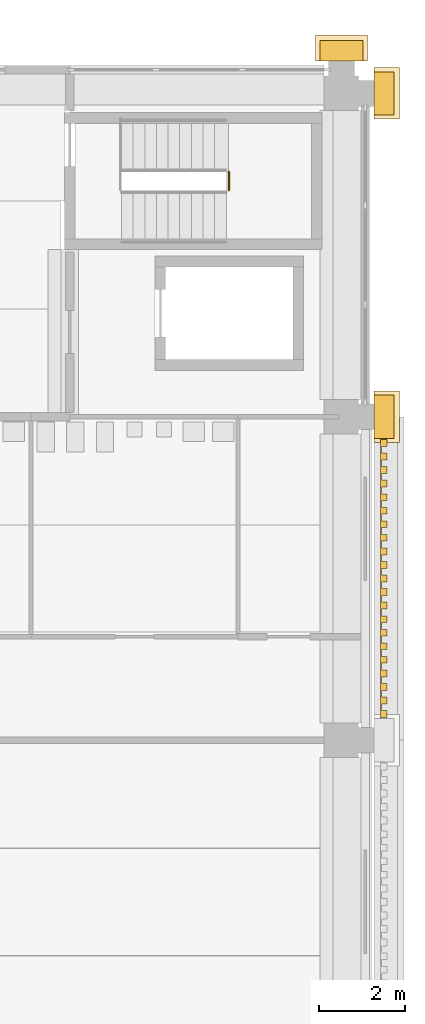
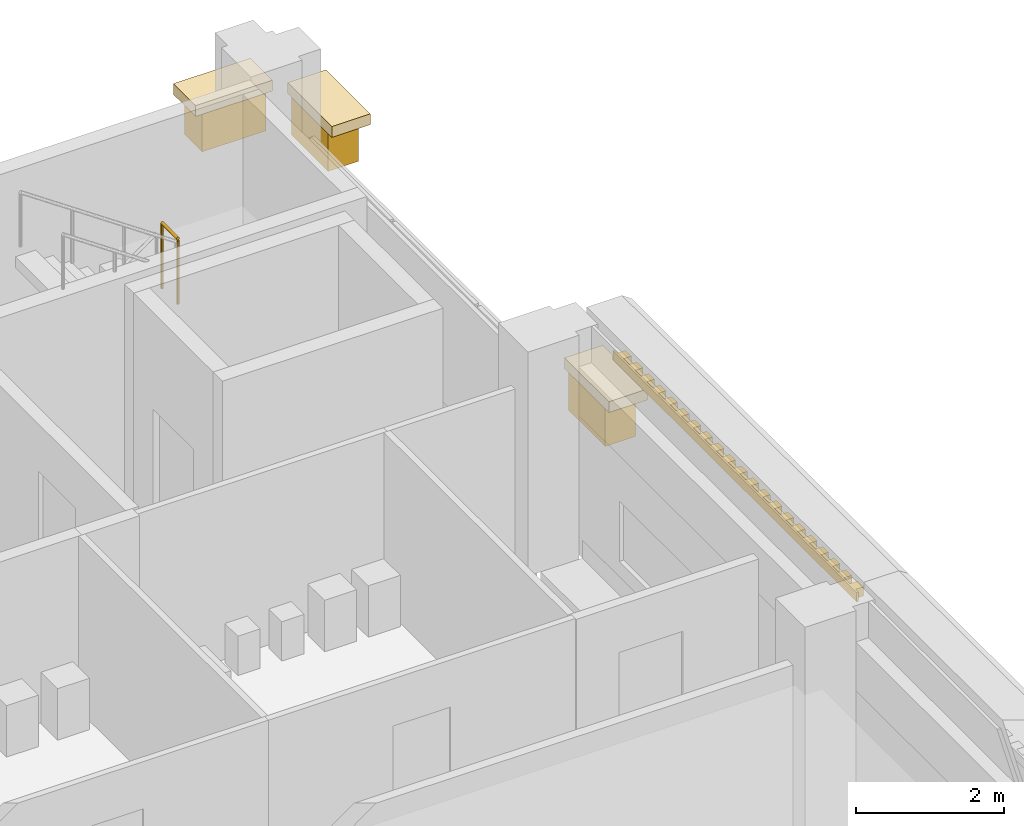
# One storey, part 66 of 71: 7 coverings, 1 railing.
"""IFC4 building model written with IfcOpenShell, lengths in metres."""

import ifcopenshell
import ifcopenshell.guid

model = None  # the IFC model being written
_history = None  # IfcOwnerHistory: only IFC2X3 demands one
_inside = {}  # id of a spatial element -> (the spatial element, [elements in it])
_under = {}  # id of a project, library or spatial element -> (it, [spatial elements below it])
_declared = {}  # id of a project -> (the project, [libraries it declares])
_typed = {}  # id of a type object -> (the type object, [elements of that type])
_made_of = {}  # id of a material, layer set ... -> (it, [elements and type objects made of it])


def new_model(schema):
    """Start an empty IFC model of exactly this schema.

    Asked for "IFC4X3", IfcOpenShell would pick the latest addendum, in which some entities
    have other attributes; the version numbers below select the first issue.
    IFC2X3 requires an IfcOwnerHistory on every rooted entity: one is made here for all.
    """
    global model, _history
    if schema == "IFC4X3":
        model = ifcopenshell.file(schema_version=(4, 3, 0, 0))
    else:
        model = ifcopenshell.file(schema=schema)
    _inside.clear()
    _under.clear()
    _declared.clear()
    _typed.clear()
    _made_of.clear()
    _history = None
    if model.schema == "IFC2X3":
        org = make("IfcOrganization", Name="unknown")
        user = make(
            "IfcPersonAndOrganization",
            ThePerson=make("IfcPerson", FamilyName="unknown"),
            TheOrganization=org,
        )
        app = make(
            "IfcApplication",
            ApplicationDeveloper=org,
            Version="unknown",
            ApplicationFullName="unknown",
            ApplicationIdentifier="unknown",
        )
        _history = make(
            "IfcOwnerHistory",
            OwningUser=user,
            OwningApplication=app,
            ChangeAction="ADDED",
            CreationDate=0,
        )
    return model


def make(cls, **values):
    """One entity of the class cls with the attributes given. An attribute that is None is left unset."""
    return model.create_entity(
        cls, **{name: value for name, value in values.items() if value is not None}
    )


def rooted(cls, **values):
    """An entity with a GlobalId (a new one), such as an element, a storey or a relation."""
    return make(cls, GlobalId=ifcopenshell.guid.new(), OwnerHistory=_history, **values)


def si_unit(unit_type, name, prefix=None):
    """IfcSIUnit, for example si_unit("LENGTHUNIT", "METRE", prefix="MILLI")."""
    return make("IfcSIUnit", UnitType=unit_type, Prefix=prefix, Name=name)


def assignment(units):
    """IfcUnitAssignment: the units of a project."""
    return None if units is None else make("IfcUnitAssignment", Units=units)


def point(xyz):
    """IfcCartesianPoint."""
    return None if xyz is None else make("IfcCartesianPoint", Coordinates=xyz)


def direction(xyz):
    """IfcDirection."""
    return None if xyz is None else make("IfcDirection", DirectionRatios=xyz)


def frame(location, z_axis=None, x_axis=None):
    """IfcAxis2Placement3D, a coordinate frame: its origin and axes. An axis left out is left unset."""
    return make(
        "IfcAxis2Placement3D",
        Location=point(location),
        Axis=direction(z_axis),
        RefDirection=direction(x_axis),
    )


def frame_2d(location, x_axis=None):
    """IfcAxis2Placement2D, a coordinate frame in the plane: its origin and x axis."""
    return make(
        "IfcAxis2Placement2D", Location=point(location), RefDirection=direction(x_axis)
    )


def origin():
    """The frame at (0, 0, 0) with its axes left unset."""
    return frame((0.0, 0.0, 0.0))


def origin_2d():
    """The frame at (0, 0) in the plane with its x axis left unset."""
    return frame_2d((0.0, 0.0))


def place(relative_to, where):
    """IfcLocalPlacement: puts the frame where relative to a parent placement (None: the world)."""
    return make(
        "IfcLocalPlacement", PlacementRelTo=relative_to, RelativePlacement=where
    )


def context(
    kind, dimensions, precision=None, world=None, true_north=None, identifier=None
):
    """IfcGeometricRepresentationContext, for example the 3D "Model" context."""
    return make(
        "IfcGeometricRepresentationContext",
        ContextIdentifier=identifier,
        ContextType=kind,
        CoordinateSpaceDimension=dimensions,
        Precision=precision,
        WorldCoordinateSystem=world,
        TrueNorth=true_north,
    )


def subcontext(parent, identifier, kind, view, scale=None):
    """IfcGeometricRepresentationSubContext, for example "Body" below "Model"."""
    return make(
        "IfcGeometricRepresentationSubContext",
        ContextIdentifier=identifier,
        ContextType=kind,
        ParentContext=parent,
        TargetScale=scale,
        TargetView=view,
    )


def project(units=None, contexts=None):
    """IfcProject with its units and contexts."""
    return rooted(
        "IfcProject",
        Name="project",
        RepresentationContexts=contexts,
        UnitsInContext=assignment(units),
    )


def spatial(cls, under=None, at=None, **own):
    """A site, building, storey or space (cls), placed at a placement, below another one or the project."""
    s = rooted(cls, ObjectPlacement=at, **own)
    if under is not None:
        _under.setdefault(under.id(), (under, []))[1].append(s)
    return s


def polyline(points):
    """IfcPolyline through the points."""
    return make("IfcPolyline", Points=[point(p) for p in points])


def profile(cls, at=None, kind="AREA", **sizes):
    """A parametric profile (cls). Its sizes go by their IFC names, for example OverallWidth=200.0."""
    return make(cls, ProfileType=kind, Position=at, **sizes)


def circle(**sizes):
    """IfcCircleProfileDef."""
    return profile("IfcCircleProfileDef", **sizes)


def outline(outer, holes=None, kind="AREA"):
    """IfcArbitraryClosedProfileDef: a profile drawn as a closed curve; with holes, ...WithVoids."""
    if holes is None:
        return make("IfcArbitraryClosedProfileDef", ProfileType=kind, OuterCurve=outer)
    return make(
        "IfcArbitraryProfileDefWithVoids",
        ProfileType=kind,
        OuterCurve=outer,
        InnerCurves=holes,
    )


def extrude(swept, where, along, depth):
    """IfcExtrudedAreaSolid: the profile swept, set in the frame where, extruded along a direction by depth."""
    return make(
        "IfcExtrudedAreaSolid",
        SweptArea=swept,
        Position=where,
        ExtrudedDirection=direction(along),
        Depth=depth,
    )


def shape(context_of_items, identifier, shape_type, items):
    """IfcShapeRepresentation: the items that make up one representation, for example the "Body"."""
    return make(
        "IfcShapeRepresentation",
        ContextOfItems=context_of_items,
        RepresentationIdentifier=identifier,
        RepresentationType=shape_type,
        Items=items,
    )


def material(Name=None, Category=None):
    """IfcMaterial."""
    return make("IfcMaterial", Name=Name, Category=Category)


def layer(
    of_material, thickness, ventilated=None, Name=None, Category=None, Priority=None
):
    """IfcMaterialLayer: one layer of a wall or slab, of a material (None: an air gap)."""
    return make(
        "IfcMaterialLayer",
        Material=of_material,
        LayerThickness=thickness,
        IsVentilated=ventilated,
        Name=Name,
        Category=Category,
        Priority=Priority,
    )


def layer_set(layers, Name=None):
    """IfcMaterialLayerSet."""
    return make("IfcMaterialLayerSet", MaterialLayers=layers, LayerSetName=Name)


def made_of(thing, what):
    """Note that an element or type object is made of a material, layer set ...; save() writes the relation."""
    if what is not None:
        _made_of.setdefault(what.id(), (what, []))[1].append(thing)
    return thing


def type_object(cls, material=None, **own):
    """A type object (cls), such as IfcWallType, which elements share."""
    return made_of(rooted(cls, **own), material)


def element(
    cls,
    number,
    at=None,
    inside=None,
    cuts=None,
    type_object=None,
    material=None,
    context=None,
    identifier="Body",
    shape_type=None,
    held_by="IfcProductDefinitionShape",
    body=None,
    shapes=None,
    **own,
):
    """One element of the class cls, such as IfcWall. Its Tag is "e" and its number.

    at: its placement. inside: the storey or other place that contains it. cuts: it is an
    opening in that element (IfcRelVoidsElement). A single representation is given by context,
    identifier, shape_type and body (its items); several are given by shapes. held_by: the class
    of the entity that holds the representations. save() writes the other relations.
    """
    e = rooted(cls, Tag="e%d" % number, ObjectPlacement=at, **own)
    if body is not None:
        shapes = [shape(context, identifier, shape_type, body)]
    if shapes is not None:
        e.Representation = make(held_by, Representations=shapes)
    if inside is not None:
        _inside.setdefault(inside.id(), (inside, []))[1].append(e)
    if cuts is not None:
        rooted(
            "IfcRelVoidsElement", RelatingBuildingElement=cuts, RelatedOpeningElement=e
        )
    if type_object is not None:
        _typed.setdefault(type_object.id(), (type_object, []))[1].append(e)
    return made_of(e, material)


def aggregate(whole, parts):
    """IfcRelAggregates: a whole, such as a stair, and the parts it consists of."""
    return rooted("IfcRelAggregates", RelatingObject=whole, RelatedObjects=parts)


def save(model, path):
    """Write the relations noted so far, then the file.

    IfcRelAggregates (storeys below a building ...), IfcRelContainedInSpatialStructure (elements
    in a storey), IfcRelDefinesByType, IfcRelAssociatesMaterial and IfcRelDeclares: one each for
    every whole, place, type object, material and project.
    """
    for whole, parts in _under.values():
        aggregate(whole, parts)
    for where, things in _inside.values():
        rooted(
            "IfcRelContainedInSpatialStructure",
            RelatedElements=things,
            RelatingStructure=where,
        )
    for kind, things in _typed.values():
        rooted("IfcRelDefinesByType", RelatedObjects=things, RelatingType=kind)
    for what, things in _made_of.values():
        rooted("IfcRelAssociatesMaterial", RelatedObjects=things, RelatingMaterial=what)
    for by, libraries in _declared.values():
        rooted("IfcRelDeclares", RelatingContext=by, RelatedDefinitions=libraries)
    model.write(path)


model = new_model("IFC4")

# Units and contexts
model_context = context("Model", 3, precision=1e-05, world=origin(), true_north=direction((0.0, 1.0)))
body_context = subcontext(model_context, "Body", "Model", "MODEL_VIEW")
ifc_project = project(units=[si_unit("LENGTHUNIT", "METRE"), si_unit("AREAUNIT", "SQUARE_METRE"), si_unit("VOLUMEUNIT", "CUBIC_METRE"), si_unit("PLANEANGLEUNIT", "RADIAN"), si_unit("MASSUNIT", "GRAM", prefix="KILO")], contexts=[model_context])

# Site, building, storey
site_placement = place(None, origin())
site = spatial("IfcSite", under=ifc_project, at=site_placement, CompositionType="ELEMENT")
building_placement = place(site_placement, origin())
building = spatial("IfcBuilding", under=site, at=building_placement, Name="Cour d'Honneur Mobility Palace", CompositionType="ELEMENT")
storey_placement = place(building_placement, frame((0.0, 0.0, 15.60009765625)))
storey = spatial("IfcBuildingStorey", under=building, at=storey_placement, Name="L04", CompositionType="ELEMENT", Elevation=15.60009765625)

# Covering
ifc_material_1 = material(Name="Cast limestone", Category="masonry")
ifc_layer_1 = layer(ifc_material_1, 0.14990234375)
ifc_layer_set_1 = layer_set([ifc_layer_1], Name="Cast limestone")
covering_type_1 = type_object("IfcCoveringType", Name="Dentil course", PredefinedType="CLADDING", material=ifc_layer_set_1)
covering_1_placement = place(storey_placement, frame((0.0, 0.0, 3.14990234375)))
element("IfcCovering", 1, at=covering_1_placement, inside=storey, type_object=covering_type_1, Name="Dentil course DC-87", PredefinedType="CLADDING", context=body_context, shape_type="SweptSolid", body=[
    extrude(outline(polyline([(163.199951171875, 100.35009765625), (163.199951171875, 106.949951171875), (163.22998046875, 106.949951171875), (163.22998046875, 106.949951171875), (163.22998046875, 106.871337890625), (163.35009765625, 106.871337890625), (163.35009765625, 106.71435546875), (163.22998046875, 106.71435546875), (163.22998046875, 106.6357421875), (163.22998046875, 106.6357421875), (163.22998046875, 106.55712890625), (163.35009765625, 106.55712890625), (163.35009765625, 106.39990234375), (163.22998046875, 106.39990234375), (163.22998046875, 106.321533203125), (163.22998046875, 106.321533203125), (163.22998046875, 106.242919921875), (163.35009765625, 106.242919921875), (163.35009765625, 106.085693359375), (163.22998046875, 106.085693359375), (163.22998046875, 106.007080078125), (163.22998046875, 106.007080078125), (163.22998046875, 105.928466796875), (163.35009765625, 105.928466796875), (163.35009765625, 105.771484375), (163.22998046875, 105.771484375), (163.22998046875, 105.69287109375), (163.22998046875, 105.69287109375), (163.22998046875, 105.6142578125), (163.35009765625, 105.6142578125), (163.35009765625, 105.45703125), (163.22998046875, 105.45703125), (163.22998046875, 105.378662109375), (163.22998046875, 105.378662109375), (163.22998046875, 105.300048828125), (163.35009765625, 105.300048828125), (163.35009765625, 105.142822265625), (163.22998046875, 105.142822265625), (163.22998046875, 105.064208984375), (163.22998046875, 105.064208984375), (163.22998046875, 104.985595703125), (163.35009765625, 104.985595703125), (163.35009765625, 104.82861328125), (163.22998046875, 104.82861328125), (163.22998046875, 104.75), (163.22998046875, 104.75), (163.22998046875, 104.67138671875), (163.35009765625, 104.67138671875), (163.35009765625, 104.514404296875), (163.22998046875, 104.514404296875), (163.22998046875, 104.435791015625), (163.22998046875, 104.435791015625), (163.22998046875, 104.357177734375), (163.35009765625, 104.357177734375), (163.35009765625, 104.199951171875), (163.22998046875, 104.199951171875), (163.22998046875, 104.121337890625), (163.22998046875, 104.121337890625), (163.22998046875, 104.04296875), (163.35009765625, 104.04296875), (163.35009765625, 103.8857421875), (163.22998046875, 103.8857421875), (163.22998046875, 103.80712890625), (163.22998046875, 103.80712890625), (163.22998046875, 103.728515625), (163.35009765625, 103.728515625), (163.35009765625, 103.571533203125), (163.22998046875, 103.571533203125), (163.22998046875, 103.492919921875), (163.22998046875, 103.492919921875), (163.22998046875, 103.414306640625), (163.35009765625, 103.414306640625), (163.35009765625, 103.257080078125), (163.22998046875, 103.257080078125), (163.22998046875, 103.178466796875), (163.22998046875, 103.178466796875), (163.22998046875, 103.10009765625), (163.35009765625, 103.10009765625), (163.35009765625, 102.94287109375), (163.22998046875, 102.94287109375), (163.22998046875, 102.8642578125), (163.22998046875, 102.8642578125), (163.22998046875, 102.78564453125), (163.35009765625, 102.78564453125), (163.35009765625, 102.628662109375), (163.22998046875, 102.628662109375), (163.22998046875, 102.550048828125), (163.22998046875, 102.550048828125), (163.22998046875, 102.471435546875), (163.35009765625, 102.471435546875), (163.35009765625, 102.314208984375), (163.22998046875, 102.314208984375), (163.22998046875, 102.235595703125), (163.22998046875, 102.235595703125), (163.22998046875, 102.1572265625), (163.35009765625, 102.1572265625), (163.35009765625, 102.0), (163.22998046875, 102.0), (163.22998046875, 101.92138671875), (163.22998046875, 101.92138671875), (163.22998046875, 101.8427734375), (163.35009765625, 101.8427734375), (163.35009765625, 101.685791015625), (163.22998046875, 101.685791015625), (163.22998046875, 101.607177734375), (163.22998046875, 101.607177734375), (163.22998046875, 101.528564453125), (163.35009765625, 101.528564453125), (163.35009765625, 101.371337890625), (163.22998046875, 101.371337890625), (163.22998046875, 101.29296875), (163.22998046875, 101.29296875), (163.22998046875, 101.21435546875), (163.35009765625, 101.21435546875), (163.35009765625, 101.05712890625), (163.22998046875, 101.05712890625), (163.22998046875, 100.978515625), (163.22998046875, 100.978515625), (163.22998046875, 100.89990234375), (163.35009765625, 100.89990234375), (163.35009765625, 100.742919921875), (163.22998046875, 100.742919921875), (163.22998046875, 100.664306640625), (163.22998046875, 100.664306640625), (163.22998046875, 100.585693359375), (163.35009765625, 100.585693359375), (163.35009765625, 100.428466796875), (163.22998046875, 100.428466796875), (163.22998046875, 100.35009765625), (163.199951171875, 100.35009765625)])), origin(), (0.0, 0.0, 1.0), 0.14990234375),
])

# Railing
ifc_material_2 = material(Name="Painted steel", Category="steel")
railing_type = type_object("IfcRailingType", Name="Guardrail 1100", PredefinedType="GUARDRAIL", material=ifc_material_2)
railing_placement = place(storey_placement, frame((159.68994140625, 112.64990234375, 1.849853515625)))
element("IfcRailing", 2, at=railing_placement, inside=storey, type_object=railing_type, Name="Landing guard ST-NE1", PredefinedType="GUARDRAIL", context=body_context, shape_type="SweptSolid", body=[
    extrude(circle(Radius=0.02490234375, at=origin_2d()), frame((0.0, 0.0, 1.0751953125), z_axis=(0.0, 1.0, 0.0), x_axis=(-1.0, 0.0, 0.0)), (0.0, 0.0, 1.0), 0.425048828125),
    extrude(circle(Radius=0.02099609375, at=origin_2d()), origin(), (0.0, 0.0, 1.0), 1.050048828125),
    extrude(circle(Radius=0.02099609375, at=origin_2d()), frame((0.0, 0.425048828125, 0.0)), (0.0, 0.0, 1.0), 1.050048828125),
])

# Coverings
ifc_material_3 = material(Name="Cast limestone", Category="masonry")
ifc_layer_2 = layer(ifc_material_3, 0.1201171875)
ifc_layer_set_2 = layer_set([ifc_layer_2], Name="Cast limestone")
covering_type_2 = type_object("IfcCoveringType", Name="Pilaster capital", PredefinedType="CLADDING", material=ifc_layer_set_2)
covering_2_placement = place(storey_placement, frame((0.0, 0.0, 1.7998046875)))
element("IfcCovering", 3, at=covering_2_placement, inside=storey, type_object=covering_type_2, Name="Pilaster capital PK-99", PredefinedType="CLADDING", context=body_context, shape_type="SweptSolid", body=[
    extrude(outline(polyline([(163.050048828125, 106.89990234375), (163.050048828125, 107.89990234375), (163.52001953125, 107.89990234375), (163.52001953125, 106.89990234375), (163.050048828125, 106.89990234375)])), origin(), (0.0, 0.0, 1.0), 0.6201171875),
])
covering_3_placement = place(storey_placement, frame((0.0, 0.0, 2.419921875)))
element("IfcCovering", 4, at=covering_3_placement, inside=storey, type_object=covering_type_2, Name="Pilaster capital PK-100", PredefinedType="CLADDING", context=body_context, shape_type="SweptSolid", body=[
    extrude(outline(polyline([(163.050048828125, 106.800048828125), (163.050048828125, 108.0), (163.64990234375, 108.0), (163.64990234375, 106.800048828125), (163.050048828125, 106.800048828125)])), origin(), (0.0, 0.0, 1.0), 0.179931640625),
])
covering_4_placement = place(storey_placement, frame((0.0, 0.0, 1.7998046875)))
element("IfcCovering", 5, at=covering_4_placement, inside=storey, type_object=covering_type_2, Name="Pilaster capital PK-101", PredefinedType="CLADDING", context=body_context, shape_type="SweptSolid", body=[
    extrude(outline(polyline([(163.050048828125, 114.39990234375), (163.050048828125, 115.39990234375), (163.52001953125, 115.39990234375), (163.52001953125, 114.39990234375), (163.050048828125, 114.39990234375)])), origin(), (0.0, 0.0, 1.0), 0.6201171875),
])
covering_5_placement = place(storey_placement, frame((0.0, 0.0, 2.419921875)))
element("IfcCovering", 6, at=covering_5_placement, inside=storey, type_object=covering_type_2, Name="Pilaster capital PK-102", PredefinedType="CLADDING", context=body_context, shape_type="SweptSolid", body=[
    extrude(outline(polyline([(163.050048828125, 114.300048828125), (163.050048828125, 115.5), (163.64990234375, 115.5), (163.64990234375, 114.300048828125), (163.050048828125, 114.300048828125)])), origin(), (0.0, 0.0, 1.0), 0.179931640625),
])
covering_6_placement = place(storey_placement, frame((0.0, 0.0, 1.7998046875)))
element("IfcCovering", 7, at=covering_6_placement, inside=storey, type_object=covering_type_2, Name="Pilaster capital PK-103", PredefinedType="CLADDING", context=body_context, shape_type="SweptSolid", body=[
    extrude(outline(polyline([(162.800048828125, 115.64990234375), (161.800048828125, 115.64990234375), (161.800048828125, 116.1201171875), (162.800048828125, 116.1201171875), (162.800048828125, 115.64990234375)])), origin(), (0.0, 0.0, 1.0), 0.6201171875),
])
covering_7_placement = place(storey_placement, frame((0.0, 0.0, 2.419921875)))
element("IfcCovering", 8, at=covering_7_placement, inside=storey, type_object=covering_type_2, Name="Pilaster capital PK-104", PredefinedType="CLADDING", context=body_context, shape_type="SweptSolid", body=[
    extrude(outline(polyline([(162.89990234375, 115.64990234375), (161.699951171875, 115.64990234375), (161.699951171875, 116.25), (162.89990234375, 116.25), (162.89990234375, 115.64990234375)])), origin(), (0.0, 0.0, 1.0), 0.179931640625),
])

save(model, "model.ifc")
